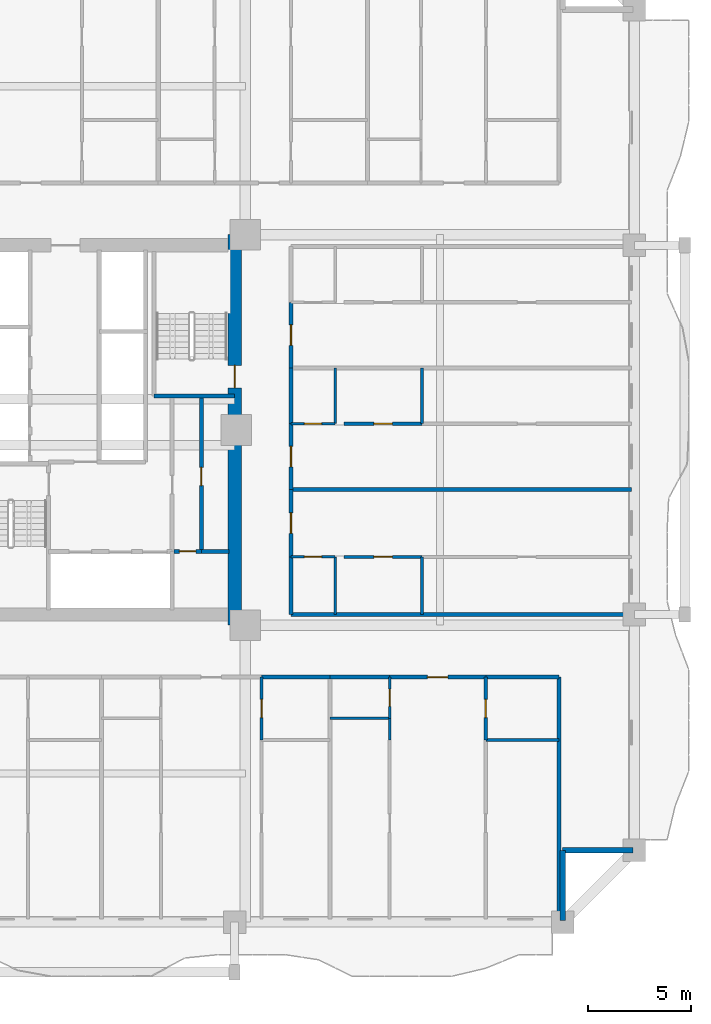
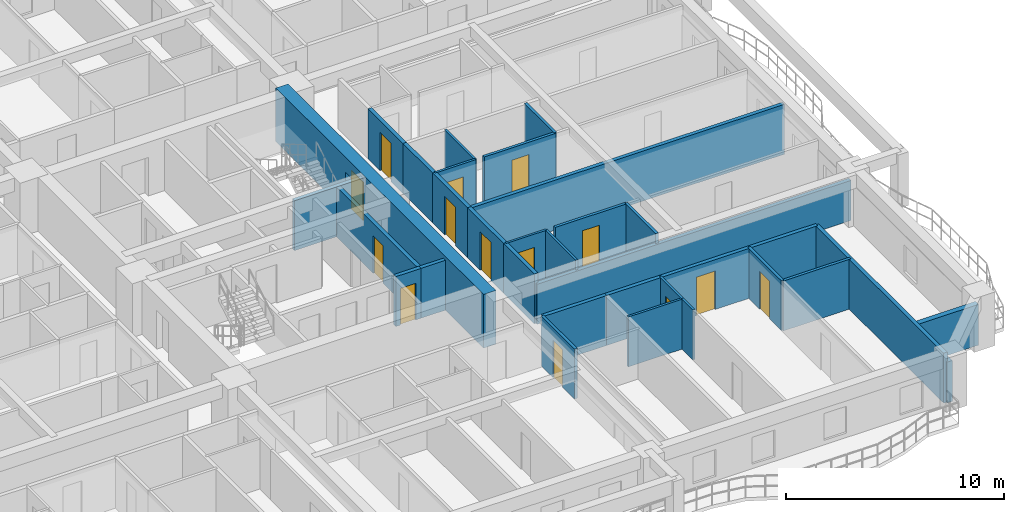
# One storey, part 5 of 16: 33 walls, 14 doors, 14 openings.
"""IFC4 building model written with IfcOpenShell, lengths in metres."""

from ifc_helpers import new_model, si_unit, direction, frame, frame_2d, origin, place, context, subcontext, project, spatial, rectangle, extrude, source, transform, mapped, material, layer, layer_set, type_object, element, fill, save


model = new_model("IFC4")

# Units and contexts
model_context = context("Model", 3, precision=1e-05, world=origin(), true_north=direction((0.0, 1.0)))
body_context = subcontext(model_context, "Body", "Model", "MODEL_VIEW")
ifc_project = project(units=[si_unit("LENGTHUNIT", "METRE"), si_unit("AREAUNIT", "SQUARE_METRE"), si_unit("VOLUMEUNIT", "CUBIC_METRE"), si_unit("PLANEANGLEUNIT", "RADIAN"), si_unit("MASSUNIT", "GRAM", prefix="KILO")], contexts=[model_context])

# Site, building, storey
site_placement = place(None, origin())
site = spatial("IfcSite", under=ifc_project, at=site_placement, CompositionType="ELEMENT")
building_placement = place(site_placement, origin())
building = spatial("IfcBuilding", under=site, at=building_placement, Name="Saelheon Loggia Tower", CompositionType="ELEMENT")
storey_placement = place(building_placement, frame((0.0, 0.0, 37.39990234375)))
storey = spatial("IfcBuildingStorey", under=building, at=storey_placement, Name="L11", CompositionType="ELEMENT", Elevation=37.39990234375)

# Wall, opening, door
ifc_material_1 = material(Name="Concrete C60/75", Category="concrete")
ifc_layer_1 = layer(ifc_material_1, 0.64990234375)
ifc_layer_set_1 = layer_set([ifc_layer_1], Name="Concrete C60/75")
wall_type_1 = type_object("IfcWallType", Name="Wall_CoreShear_650", PredefinedType="SHEAR", material=ifc_layer_set_1)
wall_1_placement = place(storey_placement, frame((44.5, 17.47998046875, 0.0), z_axis=(0.0, 0.0, 1.0), x_axis=(0.0, 1.0, 0.0)))
wall_1 = element("IfcWall", 1, at=wall_1_placement, inside=storey, type_object=wall_type_1, Name="L11 Core Shear Wall East", PredefinedType="SHEAR", context=body_context, shape_type="SweptSolid", body=[
    extrude(rectangle(XDim=19.0400390625, YDim=0.64990234375, at=frame_2d((9.52001953125, 0.0))), origin(), (0.0, 0.0, 1.0), 3.0),
])
opening_1_placement = place(wall_1_placement, frame((12.670166015625, 0.0, 0.0), z_axis=(0.0, 0.0, 1.0), x_axis=(-1.0, 0.0, 0.0)))
opening_1 = element("IfcOpeningElement", 2, at=opening_1_placement, cuts=wall_1, Name="Opening D-FD2", PredefinedType="OPENING", context=body_context, shape_type="SweptSolid", body=[
    extrude(rectangle(XDim=1.10009765625, YDim=2.14990234375, at=frame_2d((0.550048828125, 1.074951171875))), frame((0.0, 0.3369140625, 0.0), z_axis=(0.0, -1.0, 0.0), x_axis=(1.0, 0.0, 0.0)), (0.0, 0.0, 1.0), 0.673828125),
])
ifc_material_2 = material(Name="Galvanised Steel Fire Door", Category="steel")
door_type_1 = type_object("IfcDoorType", Name="Door_Fire_FD60_1100", OperationType="NOTDEFINED", PredefinedType="DOOR", material=ifc_material_2)
shared_shape_1 = source(origin(), body_context, "Body", "SweptSolid", [
    extrude(rectangle(XDim=1.10009765625, YDim=2.14990234375, at=frame_2d((0.550048828125, 1.074951171875))), frame((0.0, 0.02490234375, 0.0), z_axis=(0.0, -1.0, 0.0), x_axis=(1.0, 0.0, 0.0)), (0.0, 0.0, 1.0), 0.050048828125),
])
door_1_placement = place(opening_1_placement, origin())
door_1 = element("IfcDoor", 3, at=door_1_placement, inside=storey, type_object=door_type_1, Name="L11 Stair ST2 Corridor Door", OperationType="SINGLE_SWING_RIGHT", OverallHeight=2.14990234375, OverallWidth=1.10009765625, PredefinedType="DOOR", context=body_context, shape_type="MappedRepresentation", body=[
    mapped(shared_shape_1, transform((0.0, 0.0, 0.0), scale=1.0)),
])
fill(opening_1, door_1)

# Walls
ifc_material_3 = material(Name="Architectural Precast Concrete C40/50", Category="concrete")
ifc_layer_2 = layer(ifc_material_3, 0.280029296875)
ifc_layer_set_2 = layer_set([ifc_layer_2], Name="Architectural Precast Concrete C40/50")
wall_type_2 = type_object("IfcWallType", Name="Wall_Ext_Loggia_280", PredefinedType="SOLIDWALL", material=ifc_layer_set_2)
for number, where, z_axis, x_axis, name in (
    (4, (60.5, 3.080078125, 0.0), (0.0, 0.0, 1.0), (0.0, 1.0, 0.0), "L11 Corner Notch Precast Wall SE1"),
    (5, (60.5, 6.5, 0.0), (0.0, 0.0, 1.0), (1.0, 0.0, 0.0), "L11 Corner Notch Precast Wall SE2"),
):
    element("IfcWall", number, at=place(storey_placement, frame(where, z_axis=z_axis, x_axis=x_axis)), inside=storey, type_object=wall_type_2, Name=name, PredefinedType="SOLIDWALL", context=body_context, shape_type="SweptSolid", body=[
        extrude(rectangle(XDim=3.419921875, YDim=0.280029296875, at=frame_2d((1.7099609375, 0.0))), origin(), (0.0, 0.0, 1.0), 2.280029296875),
    ])

# Wall, opening, door
ifc_material_4 = material(Name="Lightweight Autoclaved Aerated Concrete Block and Acoustic Gypsum", Category="concrete")
ifc_layer_3 = layer(ifc_material_4, 0.14990234375)
ifc_layer_set_3 = layer_set([ifc_layer_3], Name="Lightweight Autoclaved Aerated Concrete Block and Acoustic Gypsum")
wall_type_3 = type_object("IfcWallType", Name="Wall_Part_150", PredefinedType="PARTITIONING", material=ifc_layer_set_3)
wall_2_placement = place(storey_placement, frame((45.820068359375, 14.949951171875, 0.0), z_axis=(0.0, 0.0, 1.0), x_axis=(0.0, -1.0, 0.0)))
wall_2 = element("IfcWall", 6, at=wall_2_placement, inside=storey, type_object=wall_type_3, Name="L11 S Partition U33", PredefinedType="PARTITIONING", context=body_context, shape_type="SweptSolid", body=[
    extrude(rectangle(XDim=3.070068359375, YDim=0.14990234375, at=frame_2d((1.53515625, 0.0))), origin(), (0.0, 0.0, 1.0), 2.7900390625),
])
opening_2_placement = place(wall_2_placement, frame((1.0849609375, 0.0, 0.0)))
opening_2 = element("IfcOpeningElement", 7, at=opening_2_placement, cuts=wall_2, Name="Opening D-IN2", PredefinedType="OPENING", context=body_context, shape_type="SweptSolid", body=[
    extrude(rectangle(XDim=0.89990234375, YDim=2.10009765625, at=frame_2d((0.449951171875, 1.050048828125))), frame((0.0, 0.0869140625, 0.0), z_axis=(0.0, -1.0, 0.0), x_axis=(1.0, 0.0, 0.0)), (0.0, 0.0, 1.0), 0.173828125),
])
ifc_material_5 = material(Name="Engineered Oak Flush Door", Category="timber")
door_type_2 = type_object("IfcDoorType", Name="Door_Int_900", OperationType="NOTDEFINED", PredefinedType="DOOR", material=ifc_material_5)
shared_shape_2 = source(origin(), body_context, "Body", "SweptSolid", [
    extrude(rectangle(XDim=0.89990234375, YDim=2.10009765625, at=frame_2d((0.449951171875, 1.050048828125))), frame((0.0, 0.02490234375, 0.0), z_axis=(0.0, -1.0, 0.0), x_axis=(1.0, 0.0, 0.0)), (0.0, 0.0, 1.0), 0.050048828125),
])
door_2_placement = place(opening_2_placement, origin())
door_2 = element("IfcDoor", 8, at=door_2_placement, inside=storey, type_object=door_type_2, Name="Unit U03 Kitchen Door", OperationType="SINGLE_SWING_RIGHT", OverallHeight=2.10009765625, OverallWidth=0.89990234375, PredefinedType="DOOR", context=body_context, shape_type="MappedRepresentation", body=[
    mapped(shared_shape_2, transform((0.0, 0.0, 0.0), scale=1.0)),
])
fill(opening_2, door_2)

# Wall
wall_3_placement = place(storey_placement, frame((56.748779296875, 11.8798828125, 0.0), z_axis=(0.0, 0.0, 1.0), x_axis=(1.0, 0.0, 0.0)))
element("IfcWall", 9, at=wall_3_placement, inside=storey, type_object=wall_type_3, Name="L11 S Partition V40", PredefinedType="PARTITIONING", context=body_context, shape_type="SweptSolid", body=[
    extrude(rectangle(XDim=3.5712890625, YDim=0.14990234375, at=frame_2d((1.78564453125, 0.0))), origin(), (0.0, 0.0, 1.0), 2.7900390625),
])

# Wall, opening, door
wall_4_placement = place(storey_placement, frame((56.748779296875, 14.949951171875, 0.0), z_axis=(0.0, 0.0, 1.0), x_axis=(0.0, -1.0, 0.0)))
wall_4 = element("IfcWall", 10, at=wall_4_placement, inside=storey, type_object=wall_type_3, Name="L11 S Partition U44", PredefinedType="PARTITIONING", context=body_context, shape_type="SweptSolid", body=[
    extrude(rectangle(XDim=3.070068359375, YDim=0.14990234375, at=frame_2d((1.53515625, 0.0))), origin(), (0.0, 0.0, 1.0), 2.7900390625),
])
opening_3_placement = place(wall_4_placement, frame((1.0849609375, 0.0, 0.0)))
opening_3 = element("IfcOpeningElement", 11, at=opening_3_placement, cuts=wall_4, Name="Opening D-IN2", PredefinedType="OPENING", context=body_context, shape_type="SweptSolid", body=[
    extrude(rectangle(XDim=0.89990234375, YDim=2.10009765625, at=frame_2d((0.449951171875, 1.050048828125))), frame((0.0, 0.0869140625, 0.0), z_axis=(0.0, -1.0, 0.0), x_axis=(1.0, 0.0, 0.0)), (0.0, 0.0, 1.0), 0.173828125),
])
door_3_placement = place(opening_3_placement, origin())
door_3 = element("IfcDoor", 12, at=door_3_placement, inside=storey, type_object=door_type_2, Name="Unit U04 Kitchen Door", OperationType="SINGLE_SWING_LEFT", OverallHeight=2.10009765625, OverallWidth=0.89990234375, PredefinedType="DOOR", context=body_context, shape_type="MappedRepresentation", body=[
    mapped(shared_shape_2, transform((0.0, 0.0, 0.0), scale=1.0)),
])
fill(opening_3, door_3)

# Wall
wall_5_placement = place(storey_placement, frame((53.639892578125, 18.0, 0.0), z_axis=(0.0, 0.0, 1.0), x_axis=(0.0, 1.0, 0.0)))
element("IfcWall", 13, at=wall_5_placement, inside=storey, type_object=wall_type_3, Name="L11 E Partition V07", PredefinedType="PARTITIONING", context=body_context, shape_type="SweptSolid", body=[
    extrude(rectangle(XDim=2.807373046875, YDim=0.14990234375, at=frame_2d((1.40380859375, 0.0))), origin(), (0.0, 0.0, 1.0), 2.7900390625),
])

# Wall, opening, door
wall_6_placement = place(storey_placement, frame((49.840087890625, 20.807373046875, 0.0), z_axis=(0.0, 0.0, 1.0), x_axis=(1.0, 0.0, 0.0)))
wall_6 = element("IfcWall", 14, at=wall_6_placement, inside=storey, type_object=wall_type_3, Name="L11 E Partition U08", PredefinedType="PARTITIONING", context=body_context, shape_type="SweptSolid", body=[
    extrude(rectangle(XDim=3.7998046875, YDim=0.14990234375, at=frame_2d((1.89990234375, 0.0))), origin(), (0.0, 0.0, 1.0), 2.7900390625),
])
opening_4_placement = place(wall_6_placement, frame((1.449951171875, 0.0, 0.0)))
opening_4 = element("IfcOpeningElement", 15, at=opening_4_placement, cuts=wall_6, Name="Opening D-IN2", PredefinedType="OPENING", context=body_context, shape_type="SweptSolid", body=[
    extrude(rectangle(XDim=0.89990234375, YDim=2.10009765625, at=frame_2d((0.449951171875, 1.050048828125))), frame((0.0, 0.0869140625, 0.0), z_axis=(0.0, -1.0, 0.0), x_axis=(1.0, 0.0, 0.0)), (0.0, 0.0, 1.0), 0.173828125),
])
door_4_placement = place(opening_4_placement, origin())
door_4 = element("IfcDoor", 16, at=door_4_placement, inside=storey, type_object=door_type_2, Name="Unit U11 Kitchen Door", OperationType="SINGLE_SWING_RIGHT", OverallHeight=2.10009765625, OverallWidth=0.89990234375, PredefinedType="DOOR", context=body_context, shape_type="MappedRepresentation", body=[
    mapped(shared_shape_2, transform((0.0, 0.0, 0.0), scale=1.0)),
])
fill(opening_4, door_4)

# Wall
wall_7_placement = place(storey_placement, frame((53.639892578125, 27.3017578125, 0.0), z_axis=(0.0, 0.0, 1.0), x_axis=(0.0, 1.0, 0.0)))
element("IfcWall", 17, at=wall_7_placement, inside=storey, type_object=wall_type_3, Name="L11 E Partition V15", PredefinedType="PARTITIONING", context=body_context, shape_type="SweptSolid", body=[
    extrude(rectangle(XDim=2.724853515625, YDim=0.14990234375, at=frame_2d((1.3623046875, 0.0))), origin(), (0.0, 0.0, 1.0), 2.7900390625),
])

# Wall, opening, door
wall_8_placement = place(storey_placement, frame((49.840087890625, 27.3017578125, 0.0), z_axis=(0.0, 0.0, 1.0), x_axis=(1.0, 0.0, 0.0)))
wall_8 = element("IfcWall", 18, at=wall_8_placement, inside=storey, type_object=wall_type_3, Name="L11 E Partition U16", PredefinedType="PARTITIONING", context=body_context, shape_type="SweptSolid", body=[
    extrude(rectangle(XDim=3.7998046875, YDim=0.14990234375, at=frame_2d((1.89990234375, 0.0))), origin(), (0.0, 0.0, 1.0), 2.7900390625),
])
opening_5_placement = place(wall_8_placement, frame((1.449951171875, 0.0, 0.0)))
opening_5 = element("IfcOpeningElement", 19, at=opening_5_placement, cuts=wall_8, Name="Opening D-IN2", PredefinedType="OPENING", context=body_context, shape_type="SweptSolid", body=[
    extrude(rectangle(XDim=0.89990234375, YDim=2.10009765625, at=frame_2d((0.449951171875, 1.050048828125))), frame((0.0, 0.0869140625, 0.0), z_axis=(0.0, -1.0, 0.0), x_axis=(1.0, 0.0, 0.0)), (0.0, 0.0, 1.0), 0.173828125),
])
door_5_placement = place(opening_5_placement, origin())
door_5 = element("IfcDoor", 20, at=door_5_placement, inside=storey, type_object=door_type_2, Name="Unit U12 Kitchen Door", OperationType="SINGLE_SWING_RIGHT", OverallHeight=2.10009765625, OverallWidth=0.89990234375, PredefinedType="DOOR", context=body_context, shape_type="MappedRepresentation", body=[
    mapped(shared_shape_2, transform((0.0, 0.0, 0.0), scale=1.0)),
])
fill(opening_5, door_5)

# Walls
ifc_material_6 = material(Name="Double Acoustic Stud and Fireboard Partition", Category="gypsum")
ifc_layer_4 = layer(ifc_material_6, 0.199951171875)
ifc_layer_set_4 = layer_set([ifc_layer_4], Name="Double Acoustic Stud and Fireboard Partition")
wall_type_4 = type_object("IfcWallType", Name="Wall_Party_200", PredefinedType="PARTITIONING", material=ifc_layer_set_4)
wall_9_placement = place(storey_placement, frame((60.320068359375, 14.949951171875, 0.0), z_axis=(0.0, 0.0, 1.0), x_axis=(0.0, -1.0, 0.0)))
element("IfcWall", 21, at=wall_9_placement, inside=storey, type_object=wall_type_4, Name="L11 S Partition U02", PredefinedType="PARTITIONING", context=body_context, shape_type="SweptSolid", body=[
    extrude(rectangle(XDim=11.800048828125, YDim=0.199951171875, at=frame_2d((5.89990234375, 0.0))), origin(), (0.0, 0.0, 1.0), 2.7900390625),
])
wall_10_placement = place(storey_placement, frame((45.820068359375, 14.949951171875, 0.0), z_axis=(0.0, 0.0, 1.0), x_axis=(1.0, 0.0, 0.0)))
element("IfcWall", 22, at=wall_10_placement, inside=storey, type_object=wall_type_4, Name="L11 S Partition V27", PredefinedType="PARTITIONING", context=body_context, shape_type="SweptSolid", body=[
    extrude(rectangle(XDim=3.33984375, YDim=0.199951171875, at=frame_2d((1.669921875, 0.0))), origin(), (0.0, 0.0, 1.0), 2.7900390625),
])
wall_11_placement = place(storey_placement, frame((49.159912109375, 14.949951171875, 0.0), z_axis=(0.0, 0.0, 1.0), x_axis=(1.0, 0.0, 0.0)))
element("IfcWall", 23, at=wall_11_placement, inside=storey, type_object=wall_type_4, Name="L11 S Partition V36", PredefinedType="PARTITIONING", context=body_context, shape_type="SweptSolid", body=[
    extrude(rectangle(XDim=2.901611328125, YDim=0.199951171875, at=frame_2d((1.45068359375, 0.0))), origin(), (0.0, 0.0, 1.0), 2.7900390625),
])

# Wall, opening, door
wall_12_placement = place(storey_placement, frame((52.0615234375, 14.949951171875, 0.0), z_axis=(0.0, 0.0, 1.0), x_axis=(1.0, 0.0, 0.0)))
wall_12 = element("IfcWall", 24, at=wall_12_placement, inside=storey, type_object=wall_type_4, Name="L11 S Partition V37", PredefinedType="PARTITIONING", context=body_context, shape_type="SweptSolid", body=[
    extrude(rectangle(XDim=4.687255859375, YDim=0.199951171875, at=frame_2d((2.34375, 0.0))), origin(), (0.0, 0.0, 1.0), 2.7900390625),
])
opening_6_placement = place(wall_12_placement, frame((1.843505859375, 0.0, 0.0)))
opening_6 = element("IfcOpeningElement", 25, at=opening_6_placement, cuts=wall_12, Name="Opening D-FD1", PredefinedType="OPENING", context=body_context, shape_type="SweptSolid", body=[
    extrude(rectangle(XDim=1.0, YDim=2.14990234375, at=frame_2d((0.5, 1.074951171875))), frame((0.0, 0.112060546875, 0.0), z_axis=(0.0, -1.0, 0.0), x_axis=(1.0, 0.0, 0.0)), (0.0, 0.0, 1.0), 0.223876953125),
])
ifc_material_7 = material(Name="Fire-Rated Engineered Timber Entrance Door", Category="wood")
door_type_3 = type_object("IfcDoorType", Name="Door_Flat_FD30S", OperationType="NOTDEFINED", PredefinedType="DOOR", material=ifc_material_7)
shared_shape_3 = source(origin(), body_context, "Body", "SweptSolid", [
    extrude(rectangle(XDim=1.0, YDim=2.14990234375, at=frame_2d((0.5, 1.074951171875))), frame((0.0, 0.02490234375, 0.0), z_axis=(0.0, -1.0, 0.0), x_axis=(1.0, 0.0, 0.0)), (0.0, 0.0, 1.0), 0.050048828125),
])
door_6_placement = place(opening_6_placement, origin())
door_6 = element("IfcDoor", 26, at=door_6_placement, inside=storey, type_object=door_type_3, Name="Unit U04 Entrance Door", OperationType="SINGLE_SWING_RIGHT", OverallHeight=2.14990234375, OverallWidth=1.0, PredefinedType="DOOR", context=body_context, shape_type="MappedRepresentation", body=[
    mapped(shared_shape_3, transform((0.0, 0.0, 0.0), scale=1.0)),
])
fill(opening_6, door_6)

# Walls
wall_13_placement = place(storey_placement, frame((56.748779296875, 14.949951171875, 0.0), z_axis=(0.0, 0.0, 1.0), x_axis=(1.0, 0.0, 0.0)))
element("IfcWall", 27, at=wall_13_placement, inside=storey, type_object=wall_type_4, Name="L11 S Partition V38", PredefinedType="PARTITIONING", context=body_context, shape_type="SweptSolid", body=[
    extrude(rectangle(XDim=3.5712890625, YDim=0.199951171875, at=frame_2d((1.78564453125, 0.0))), origin(), (0.0, 0.0, 1.0), 2.7900390625),
])
wall_14_placement = place(storey_placement, frame((47.25, 18.0, 0.0), z_axis=(0.0, 0.0, 1.0), x_axis=(1.0, 0.0, 0.0)))
element("IfcWall", 28, at=wall_14_placement, inside=storey, type_object=wall_type_4, Name="L11 E Partition U01", PredefinedType="PARTITIONING", context=body_context, shape_type="SweptSolid", body=[
    extrude(rectangle(XDim=16.60009765625, YDim=0.199951171875, at=frame_2d((8.300048828125, 0.0))), origin(), (0.0, 0.0, 1.0), 2.239990234375),
])
wall_15_placement = place(storey_placement, frame((47.25, 18.0, 0.0), z_axis=(0.0, 0.0, 1.0), x_axis=(0.0, 1.0, 0.0)))
element("IfcWall", 29, at=wall_15_placement, inside=storey, type_object=wall_type_4, Name="L11 E Partition V03", PredefinedType="PARTITIONING", context=body_context, shape_type="SweptSolid", body=[
    extrude(rectangle(XDim=2.807373046875, YDim=0.199951171875, at=frame_2d((1.40380859375, 0.0))), origin(), (0.0, 0.0, 1.0), 2.7900390625),
])

# Wall, opening, door
wall_16_placement = place(storey_placement, frame((47.25, 20.807373046875, 0.0), z_axis=(0.0, 0.0, 1.0), x_axis=(0.0, 1.0, 0.0)))
wall_16 = element("IfcWall", 30, at=wall_16_placement, inside=storey, type_object=wall_type_4, Name="L11 E Partition V04", PredefinedType="PARTITIONING", context=body_context, shape_type="SweptSolid", body=[
    extrude(rectangle(XDim=3.295654296875, YDim=0.199951171875, at=frame_2d((1.64794921875, 0.0))), origin(), (0.0, 0.0, 1.0), 2.7900390625),
])
opening_7_placement = place(wall_16_placement, frame((1.147705078125, 0.0, 0.0)))
opening_7 = element("IfcOpeningElement", 31, at=opening_7_placement, cuts=wall_16, Name="Opening D-FD1", PredefinedType="OPENING", context=body_context, shape_type="SweptSolid", body=[
    extrude(rectangle(XDim=1.0, YDim=2.14990234375, at=frame_2d((0.5, 1.074951171875))), frame((0.0, 0.112060546875, 0.0), z_axis=(0.0, -1.0, 0.0), x_axis=(1.0, 0.0, 0.0)), (0.0, 0.0, 1.0), 0.223876953125),
])
door_7_placement = place(opening_7_placement, origin())
door_7 = element("IfcDoor", 32, at=door_7_placement, inside=storey, type_object=door_type_3, Name="Unit U11 Entrance Door", OperationType="SINGLE_SWING_RIGHT", OverallHeight=2.14990234375, OverallWidth=1.0, PredefinedType="DOOR", context=body_context, shape_type="MappedRepresentation", body=[
    mapped(shared_shape_3, transform((0.0, 0.0, 0.0), scale=1.0)),
])
fill(opening_7, door_7)

# Wall
wall_17_placement = place(storey_placement, frame((47.25, 24.10302734375, 0.0), z_axis=(0.0, 0.0, 1.0), x_axis=(1.0, 0.0, 0.0)))
element("IfcWall", 33, at=wall_17_placement, inside=storey, type_object=wall_type_4, Name="L11 E Partition U10", PredefinedType="PARTITIONING", context=body_context, shape_type="SweptSolid", body=[
    extrude(rectangle(XDim=16.60009765625, YDim=0.199951171875, at=frame_2d((8.300048828125, 0.0))), origin(), (0.0, 0.0, 1.0), 2.7900390625),
])

# Wall, opening, door
wall_18_placement = place(storey_placement, frame((47.25, 24.10302734375, 0.0), z_axis=(0.0, 0.0, 1.0), x_axis=(0.0, 1.0, 0.0)))
wall_18 = element("IfcWall", 34, at=wall_18_placement, inside=storey, type_object=wall_type_4, Name="L11 E Partition V11", PredefinedType="PARTITIONING", context=body_context, shape_type="SweptSolid", body=[
    extrude(rectangle(XDim=3.19873046875, YDim=0.199951171875, at=frame_2d((1.599365234375, 0.0))), origin(), (0.0, 0.0, 1.0), 2.7900390625),
])
opening_8_placement = place(wall_18_placement, frame((1.099365234375, 0.0, 0.0)))
opening_8 = element("IfcOpeningElement", 35, at=opening_8_placement, cuts=wall_18, Name="Opening D-FD1", PredefinedType="OPENING", context=body_context, shape_type="SweptSolid", body=[
    extrude(rectangle(XDim=1.0, YDim=2.14990234375, at=frame_2d((0.5, 1.074951171875))), frame((0.0, 0.112060546875, 0.0), z_axis=(0.0, -1.0, 0.0), x_axis=(1.0, 0.0, 0.0)), (0.0, 0.0, 1.0), 0.223876953125),
])
door_8_placement = place(opening_8_placement, origin())
door_8 = element("IfcDoor", 36, at=door_8_placement, inside=storey, type_object=door_type_3, Name="Unit U12 Entrance Door", OperationType="SINGLE_SWING_RIGHT", OverallHeight=2.14990234375, OverallWidth=1.0, PredefinedType="DOOR", context=body_context, shape_type="MappedRepresentation", body=[
    mapped(shared_shape_3, transform((0.0, 0.0, 0.0), scale=1.0)),
])
fill(opening_8, door_8)

# Wall
wall_19_placement = place(storey_placement, frame((47.25, 27.3017578125, 0.0), z_axis=(0.0, 0.0, 1.0), x_axis=(0.0, 1.0, 0.0)))
element("IfcWall", 37, at=wall_19_placement, inside=storey, type_object=wall_type_4, Name="L11 E Partition V12", PredefinedType="PARTITIONING", context=body_context, shape_type="SweptSolid", body=[
    extrude(rectangle(XDim=2.724853515625, YDim=0.199951171875, at=frame_2d((1.3623046875, 0.0))), origin(), (0.0, 0.0, 1.0), 2.7900390625),
])

# Wall, opening, door
wall_20_placement = place(storey_placement, frame((47.25, 30.026611328125, 0.0), z_axis=(0.0, 0.0, 1.0), x_axis=(0.0, 1.0, 0.0)))
wall_20 = element("IfcWall", 38, at=wall_20_placement, inside=storey, type_object=wall_type_4, Name="L11 E Partition V19", PredefinedType="PARTITIONING", context=body_context, shape_type="SweptSolid", body=[
    extrude(rectangle(XDim=3.198486328125, YDim=0.199951171875, at=frame_2d((1.59912109375, 0.0))), origin(), (0.0, 0.0, 1.0), 2.7900390625),
])
opening_9_placement = place(wall_20_placement, frame((1.099365234375, 0.0, 0.0)))
opening_9 = element("IfcOpeningElement", 39, at=opening_9_placement, cuts=wall_20, Name="Opening D-FD1", PredefinedType="OPENING", context=body_context, shape_type="SweptSolid", body=[
    extrude(rectangle(XDim=1.0, YDim=2.14990234375, at=frame_2d((0.5, 1.074951171875))), frame((0.0, 0.112060546875, 0.0), z_axis=(0.0, -1.0, 0.0), x_axis=(1.0, 0.0, 0.0)), (0.0, 0.0, 1.0), 0.223876953125),
])
door_9_placement = place(opening_9_placement, origin())
door_9 = element("IfcDoor", 40, at=door_9_placement, inside=storey, type_object=door_type_3, Name="Unit U13 Entrance Door", OperationType="SINGLE_SWING_RIGHT", OverallHeight=2.14990234375, OverallWidth=1.0, PredefinedType="DOOR", context=body_context, shape_type="MappedRepresentation", body=[
    mapped(shared_shape_3, transform((0.0, 0.0, 0.0), scale=1.0)),
])
fill(opening_9, door_9)

ifc_material_8 = material(Name="Concrete C40/50", Category="concrete")
ifc_layer_5 = layer(ifc_material_8, 0.199951171875)
ifc_layer_set_5 = layer_set([ifc_layer_5], Name="Concrete C40/50")
wall_type_5 = type_object("IfcWallType", Name="Wall_Shaft_200", PredefinedType="PARTITIONING", material=ifc_layer_set_5)
wall_21_placement = place(storey_placement, frame((41.550048828125, 21.080078125, 0.0), z_axis=(0.0, 0.0, 1.0), x_axis=(1.0, 0.0, 0.0)))
wall_21 = element("IfcWall", 41, at=wall_21_placement, inside=storey, type_object=wall_type_5, Name="CW-BOH-L11-HS", PredefinedType="PARTITIONING", context=body_context, shape_type="SweptSolid", body=[
    extrude(rectangle(XDim=1.329833984375, YDim=0.199951171875, at=frame_2d((0.6650390625, 0.0))), origin(), (0.0, 0.0, 1.0), 2.7900390625),
])
opening_10_placement = place(wall_21_placement, frame((0.260009765625, 0.0, 0.0)))
opening_10 = element("IfcOpeningElement", 42, at=opening_10_placement, cuts=wall_21, Name="Opening D-ST1", PredefinedType="OPENING", context=body_context, shape_type="SweptSolid", body=[
    extrude(rectangle(XDim=0.800048828125, YDim=2.050048828125, at=frame_2d((0.39990234375, 1.02490234375))), frame((0.0, 0.112060546875, 0.0), z_axis=(0.0, -1.0, 0.0), x_axis=(1.0, 0.0, 0.0)), (0.0, 0.0, 1.0), 0.223876953125),
])
ifc_material_9 = material(Name="Powder-Coated Steel Store Door", Category="steel")
door_type_4 = type_object("IfcDoorType", Name="Door_Store_800", OperationType="NOTDEFINED", PredefinedType="DOOR", material=ifc_material_9)
shared_shape_4 = source(origin(), body_context, "Body", "SweptSolid", [
    extrude(rectangle(XDim=0.800048828125, YDim=2.050048828125, at=frame_2d((0.39990234375, 1.02490234375))), frame((0.0, 0.02490234375, 0.0), z_axis=(0.0, -1.0, 0.0), x_axis=(1.0, 0.0, 0.0)), (0.0, 0.0, 1.0), 0.050048828125),
])
door_10_placement = place(opening_10_placement, origin())
door_10 = element("IfcDoor", 43, at=door_10_placement, inside=storey, type_object=door_type_4, Name="L11 Electrical Riser Door", OperationType="SINGLE_SWING_RIGHT", OverallHeight=2.050048828125, OverallWidth=0.800048828125, PredefinedType="DOOR", context=body_context, shape_type="MappedRepresentation", body=[
    mapped(shared_shape_4, transform((0.0, 0.0, 0.0), scale=1.0)),
])
fill(opening_10, door_10)

# Wall
wall_22_placement = place(storey_placement, frame((42.8798828125, 21.080078125, 0.0), z_axis=(0.0, 0.0, 1.0), x_axis=(1.0, 0.0, 0.0)))
element("IfcWall", 44, at=wall_22_placement, inside=storey, type_object=wall_type_5, Name="CW-BOH-L11-HS2", PredefinedType="PARTITIONING", context=body_context, shape_type="SweptSolid", body=[
    extrude(rectangle(XDim=1.340087890625, YDim=0.199951171875, at=frame_2d((0.669921875, 0.0))), origin(), (0.0, 0.0, 1.0), 2.7900390625),
])

# Wall, opening, door
wall_23_placement = place(storey_placement, frame((42.8798828125, 21.080078125, 0.0), z_axis=(0.0, 0.0, 1.0), x_axis=(0.0, 1.0, 0.0)))
wall_23 = element("IfcWall", 45, at=wall_23_placement, inside=storey, type_object=wall_type_5, Name="CW-BOH-L11-VS", PredefinedType="PARTITIONING", context=body_context, shape_type="SweptSolid", body=[
    extrude(rectangle(XDim=7.469970703125, YDim=0.199951171875, at=frame_2d((3.73486328125, 0.0))), origin(), (0.0, 0.0, 1.0), 2.7900390625),
])
opening_11_placement = place(wall_23_placement, frame((3.199951171875, 0.0, 0.0)))
opening_11 = element("IfcOpeningElement", 46, at=opening_11_placement, cuts=wall_23, Name="Opening D-RS1", PredefinedType="OPENING", context=body_context, shape_type="SweptSolid", body=[
    extrude(rectangle(XDim=0.89990234375, YDim=2.10009765625, at=frame_2d((0.449951171875, 1.050048828125))), frame((0.0, 0.112060546875, 0.0), z_axis=(0.0, -1.0, 0.0), x_axis=(1.0, 0.0, 0.0)), (0.0, 0.0, 1.0), 0.223876953125),
])
ifc_material_10 = material(Name="Galvanised Steel Riser Access Door", Category="steel")
door_type_5 = type_object("IfcDoorType", Name="Door_Riser_FD60", OperationType="NOTDEFINED", PredefinedType="DOOR", material=ifc_material_10)
door_11_placement = place(opening_11_placement, origin())
door_11 = element("IfcDoor", 47, at=door_11_placement, inside=storey, type_object=door_type_5, Name="L11 Linen Store Door", OperationType="SINGLE_SWING_LEFT", OverallHeight=2.10009765625, OverallWidth=0.89990234375, PredefinedType="DOOR", context=body_context, shape_type="MappedRepresentation", body=[
    mapped(shared_shape_2, transform((0.0, 0.0, 0.0), scale=1.0)),
])
fill(opening_11, door_11)

# Walls
ifc_material_11 = material(Name="Concrete C45/55", Category="concrete")
ifc_layer_6 = layer(ifc_material_11, 0.199951171875)
ifc_layer_set_6 = layer_set([ifc_layer_6], Name="Concrete C45/55")
wall_type_6 = type_object("IfcWallType", Name="Wall_StairShaft_RC200", PredefinedType="SOLIDWALL", material=ifc_layer_set_6)
wall_24_placement = place(storey_placement, frame((40.570068359375, 28.64990234375, 0.0), z_axis=(0.0, 0.0, 1.0), x_axis=(1.0, 0.0, 0.0)))
element("IfcWall", 48, at=wall_24_placement, inside=storey, type_object=wall_type_6, Name="L11 Stair ST2 South Wall", PredefinedType="SOLIDWALL", context=body_context, shape_type="SweptSolid", body=[
    extrude(rectangle(XDim=3.929931640625, YDim=0.199951171875, at=frame_2d((1.96484375, 0.0))), origin(), (0.0, 0.0, 1.0), 2.7900390625),
])
ifc_material_12 = material(Name="Moisture-Resistant Cement Board Partition", Category="gypsum")
ifc_layer_7 = layer(ifc_material_12, 0.1201171875)
ifc_layer_set_7 = layer_set([ifc_layer_7], Name="Moisture-Resistant Cement Board Partition")
wall_type_7 = type_object("IfcWallType", Name="Wall_WetPart_120", PredefinedType="PARTITIONING", material=ifc_layer_set_7)
wall_25_placement = place(storey_placement, frame((49.159912109375, 12.929931640625, 0.0), z_axis=(0.0, 0.0, 1.0), x_axis=(1.0, 0.0, 0.0)))
element("IfcWall", 49, at=wall_25_placement, inside=storey, type_object=wall_type_7, Name="L11 S Partition V39", PredefinedType="PARTITIONING", context=body_context, shape_type="SweptSolid", body=[
    extrude(rectangle(XDim=2.901611328125, YDim=0.1201171875, at=frame_2d((1.45068359375, 0.0))), origin(), (0.0, 0.0, 1.0), 2.7900390625),
])

# Wall, opening, door
wall_26_placement = place(storey_placement, frame((52.0615234375, 14.949951171875, 0.0), z_axis=(0.0, 0.0, 1.0), x_axis=(0.0, -1.0, 0.0)))
wall_26 = element("IfcWall", 50, at=wall_26_placement, inside=storey, type_object=wall_type_7, Name="L11 S Partition U41", PredefinedType="PARTITIONING", context=body_context, shape_type="SweptSolid", body=[
    extrude(rectangle(XDim=2.02001953125, YDim=0.1201171875, at=frame_2d((1.010009765625, 0.0))), origin(), (0.0, 0.0, 1.0), 2.7900390625),
])
opening_12_placement = place(wall_26_placement, frame((0.5849609375, 0.0, 0.0)))
opening_12 = element("IfcOpeningElement", 51, at=opening_12_placement, cuts=wall_26, Name="Opening D-BT1", PredefinedType="OPENING", context=body_context, shape_type="SweptSolid", body=[
    extrude(rectangle(XDim=0.85009765625, YDim=2.050048828125, at=frame_2d((0.425048828125, 1.02490234375))), frame((0.0, 0.072021484375, 0.0), z_axis=(0.0, -1.0, 0.0), x_axis=(1.0, 0.0, 0.0)), (0.0, 0.0, 1.0), 0.14404296875),
])
ifc_material_13 = material(Name="Moisture-Resistant Laminate Timber Door", Category="wood")
door_type_6 = type_object("IfcDoorType", Name="Door_Bath_850", OperationType="NOTDEFINED", PredefinedType="DOOR", material=ifc_material_13)
shared_shape_5 = source(origin(), body_context, "Body", "SweptSolid", [
    extrude(rectangle(XDim=0.85009765625, YDim=2.050048828125, at=frame_2d((0.425048828125, 1.02490234375))), frame((0.0, 0.02490234375, 0.0), z_axis=(0.0, -1.0, 0.0), x_axis=(1.0, 0.0, 0.0)), (0.0, 0.0, 1.0), 0.050048828125),
])
door_12_placement = place(opening_12_placement, origin())
door_12 = element("IfcDoor", 52, at=door_12_placement, inside=storey, type_object=door_type_6, Name="Unit U04 Bathroom Door", OperationType="SINGLE_SWING_LEFT", OverallHeight=2.050048828125, OverallWidth=0.85009765625, PredefinedType="DOOR", context=body_context, shape_type="MappedRepresentation", body=[
    mapped(shared_shape_5, transform((0.0, 0.0, 0.0), scale=1.0)),
])
fill(opening_12, door_12)

# Wall
wall_27_placement = place(storey_placement, frame((52.0615234375, 12.929931640625, 0.0), z_axis=(0.0, 0.0, 1.0), x_axis=(0.0, -1.0, 0.0)))
element("IfcWall", 53, at=wall_27_placement, inside=storey, type_object=wall_type_7, Name="L11 S Partition U42", PredefinedType="PARTITIONING", context=body_context, shape_type="SweptSolid", body=[
    extrude(rectangle(XDim=1.050048828125, YDim=0.1201171875, at=frame_2d((0.52490234375, 0.0))), origin(), (0.0, 0.0, 1.0), 2.7900390625),
])

# Wall, opening, door
wall_28_placement = place(storey_placement, frame((47.25, 20.807373046875, 0.0), z_axis=(0.0, 0.0, 1.0), x_axis=(1.0, 0.0, 0.0)))
wall_28 = element("IfcWall", 54, at=wall_28_placement, inside=storey, type_object=wall_type_7, Name="L11 E Partition U05", PredefinedType="PARTITIONING", context=body_context, shape_type="SweptSolid", body=[
    extrude(rectangle(XDim=2.14990234375, YDim=0.1201171875, at=frame_2d((1.074951171875, 0.0))), origin(), (0.0, 0.0, 1.0), 2.7900390625),
])
opening_13_placement = place(wall_28_placement, frame((0.64990234375, 0.0, 0.0)))
opening_13 = element("IfcOpeningElement", 55, at=opening_13_placement, cuts=wall_28, Name="Opening D-BT1", PredefinedType="OPENING", context=body_context, shape_type="SweptSolid", body=[
    extrude(rectangle(XDim=0.85009765625, YDim=2.050048828125, at=frame_2d((0.425048828125, 1.02490234375))), frame((0.0, 0.072021484375, 0.0), z_axis=(0.0, -1.0, 0.0), x_axis=(1.0, 0.0, 0.0)), (0.0, 0.0, 1.0), 0.14404296875),
])
door_13_placement = place(opening_13_placement, origin())
door_13 = element("IfcDoor", 56, at=door_13_placement, inside=storey, type_object=door_type_6, Name="Unit U11 Bathroom Door", OperationType="SINGLE_SWING_LEFT", OverallHeight=2.050048828125, OverallWidth=0.85009765625, PredefinedType="DOOR", context=body_context, shape_type="MappedRepresentation", body=[
    mapped(shared_shape_5, transform((0.0, 0.0, 0.0), scale=1.0)),
])
fill(opening_13, door_13)

# Wall
wall_29_placement = place(storey_placement, frame((49.39990234375, 18.0, 0.0), z_axis=(0.0, 0.0, 1.0), x_axis=(0.0, 1.0, 0.0)))
element("IfcWall", 57, at=wall_29_placement, inside=storey, type_object=wall_type_7, Name="L11 E Partition V06", PredefinedType="PARTITIONING", context=body_context, shape_type="SweptSolid", body=[
    extrude(rectangle(XDim=2.807373046875, YDim=0.1201171875, at=frame_2d((1.40380859375, 0.0))), origin(), (0.0, 0.0, 1.0), 2.7900390625),
])

# Wall, opening, door
wall_30_placement = place(storey_placement, frame((47.25, 27.3017578125, 0.0), z_axis=(0.0, 0.0, 1.0), x_axis=(1.0, 0.0, 0.0)))
wall_30 = element("IfcWall", 58, at=wall_30_placement, inside=storey, type_object=wall_type_7, Name="L11 E Partition U13", PredefinedType="PARTITIONING", context=body_context, shape_type="SweptSolid", body=[
    extrude(rectangle(XDim=2.14990234375, YDim=0.1201171875, at=frame_2d((1.074951171875, 0.0))), origin(), (0.0, 0.0, 1.0), 2.7900390625),
])
opening_14_placement = place(wall_30_placement, frame((0.64990234375, 0.0, 0.0)))
opening_14 = element("IfcOpeningElement", 59, at=opening_14_placement, cuts=wall_30, Name="Opening D-BT1", PredefinedType="OPENING", context=body_context, shape_type="SweptSolid", body=[
    extrude(rectangle(XDim=0.85009765625, YDim=2.050048828125, at=frame_2d((0.425048828125, 1.02490234375))), frame((0.0, 0.072021484375, 0.0), z_axis=(0.0, -1.0, 0.0), x_axis=(1.0, 0.0, 0.0)), (0.0, 0.0, 1.0), 0.14404296875),
])
door_14_placement = place(opening_14_placement, origin())
door_14 = element("IfcDoor", 60, at=door_14_placement, inside=storey, type_object=door_type_6, Name="Unit U12 Bathroom Door", OperationType="SINGLE_SWING_LEFT", OverallHeight=2.050048828125, OverallWidth=0.85009765625, PredefinedType="DOOR", context=body_context, shape_type="MappedRepresentation", body=[
    mapped(shared_shape_5, transform((0.0, 0.0, 0.0), scale=1.0)),
])
fill(opening_14, door_14)

# Wall
wall_31_placement = place(storey_placement, frame((49.39990234375, 27.3017578125, 0.0), z_axis=(0.0, 0.0, 1.0), x_axis=(0.0, 1.0, 0.0)))
element("IfcWall", 61, at=wall_31_placement, inside=storey, type_object=wall_type_7, Name="L11 E Partition V14", PredefinedType="PARTITIONING", context=body_context, shape_type="SweptSolid", body=[
    extrude(rectangle(XDim=2.724853515625, YDim=0.1201171875, at=frame_2d((1.3623046875, 0.0))), origin(), (0.0, 0.0, 1.0), 2.7900390625),
])

save(model, "model.ifc")
